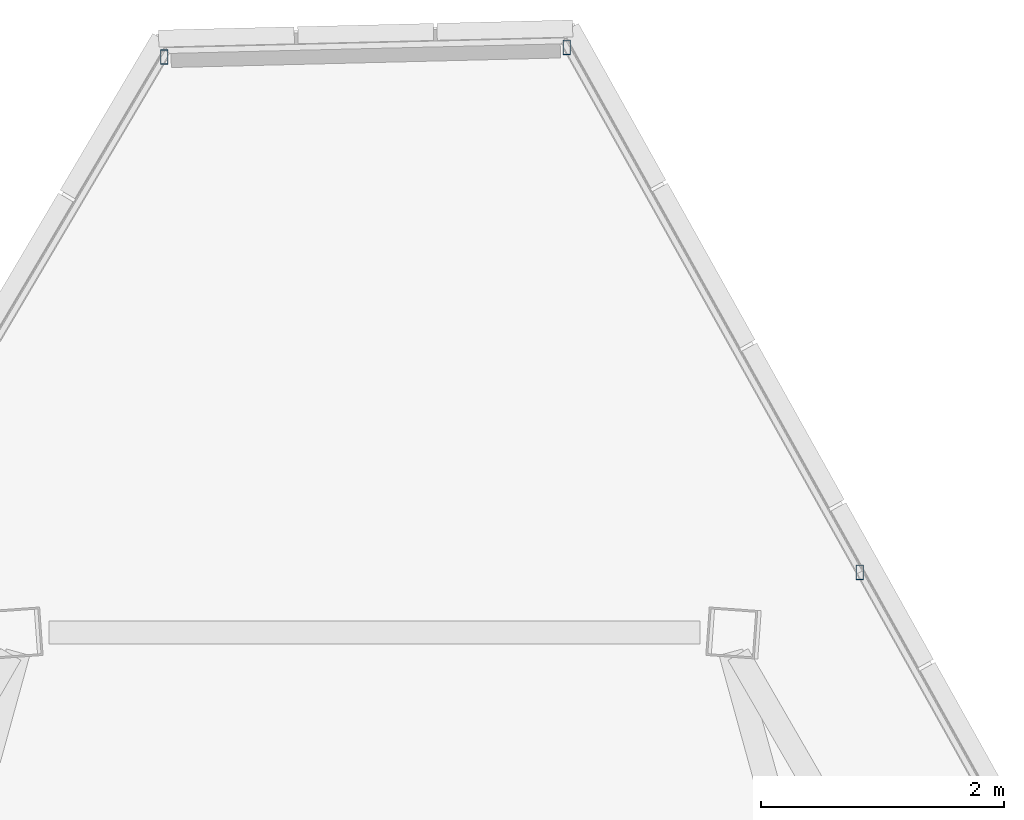
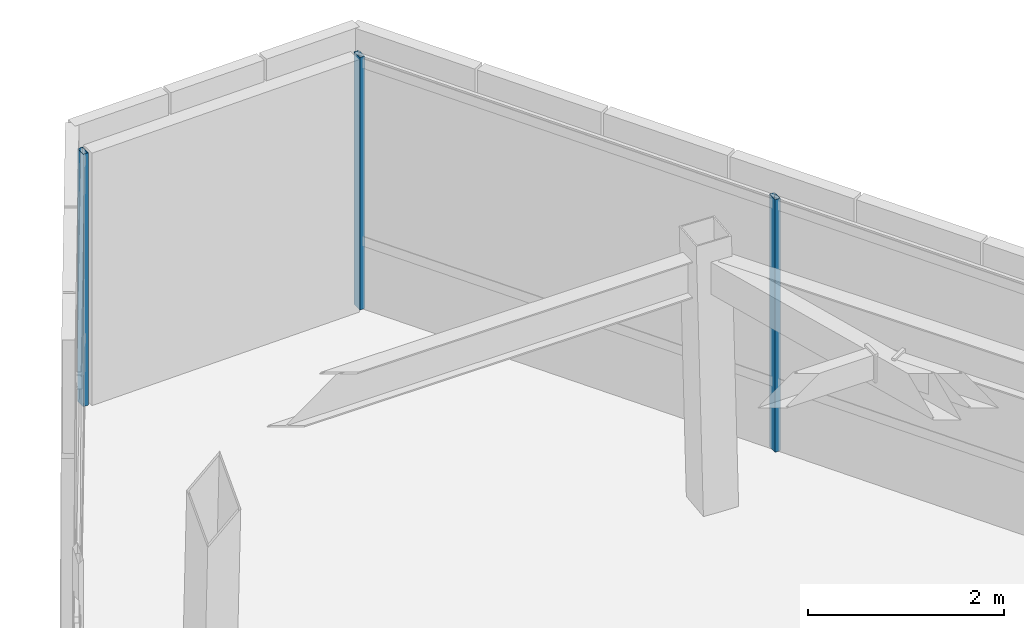
# One storey, part 37 of 47: 3 members, 2 elements without a shape of their own.
"""IFC4 building model written with IfcOpenShell, lengths in metres."""

from ifc_helpers import new_model, si_unit, direction, frame, origin, origin_2d, place, context, subcontext, project, spatial, hollow_rectangle, extrude, source, transform, mapped, material, material_profile, profile_set, type_object, type_shapes, element, aggregate, save


model = new_model("IFC4")

# Units and contexts
model_context = context("Model", 3, precision=1e-05, world=origin(), true_north=direction((0.0, 1.0)))
body_context = subcontext(model_context, "Body", "Model", "MODEL_VIEW")
ifc_project = project(units=[si_unit("LENGTHUNIT", "METRE"), si_unit("AREAUNIT", "SQUARE_METRE"), si_unit("VOLUMEUNIT", "CUBIC_METRE"), si_unit("PLANEANGLEUNIT", "RADIAN"), si_unit("MASSUNIT", "GRAM", prefix="KILO")], contexts=[model_context])

# Site, building, storey
site_placement = place(None, origin())
site = spatial("IfcSite", under=ifc_project, at=site_placement, CompositionType="ELEMENT")
building_placement = place(site_placement, origin())
building = spatial("IfcBuilding", under=site, at=building_placement, Name="Caelisora Broadcast Tower", CompositionType="ELEMENT")
storey_placement = place(building_placement, frame((0.0, 0.0, 293.199951171875)))
storey = spatial("IfcBuildingStorey", under=building, at=storey_placement, Name="L77", CompositionType="ELEMENT", Elevation=293.199951171875)

# Curtain wall, members
ifc_material_1 = material(Name="Unitised Aluminium Insulated Shadow-Box Spandrel Curtain Wall", Category="aluminium")
curtain_wall_type = type_object("IfcCurtainWallType", Name="CW-SP3", PredefinedType="NOTDEFINED", material=ifc_material_1)
curtain_wall_1_placement = place(storey_placement, origin())
curtain_wall_1 = element("IfcCurtainWall", 1, at=curtain_wall_1_placement, inside=storey, type_object=curtain_wall_type, Name="L77 curtain wall CW-SP3", PredefinedType="NOTDEFINED")
ifc_material_2 = material(Name="Aluminium 6063-T6 Anodised Terracotta Bronze", Category="aluminium")
ifc_material_profile = material_profile(ifc_material_2, hollow_rectangle(XDim=0.06005859375, YDim=0.1201171875, WallThickness=0.0029296875, at=origin_2d()), Name="Aluminium 6063-T6 Anodised Terracotta Bronze")
ifc_profile_set = profile_set([ifc_material_profile], Name="Aluminium 6063-T6 Anodised Terracotta Bronze")
member_type = type_object("IfcMemberType", Name="CWM-04", PredefinedType="MULLION", material=ifc_profile_set)
shared_shape = source(origin(), body_context, "Body", "SweptSolid", [
    extrude(hollow_rectangle(XDim=0.06005859375, YDim=0.1201171875, WallThickness=0.0029296875, at=origin_2d()), origin(), (0.0, 0.0, 1.0), 3.150146484375),
])
type_shapes(member_type, [shared_shape])
member_1_placement = place(storey_placement, frame((39.581298828125, 51.556396484375, 0.0), z_axis=(0.0, 0.0, 1.0), x_axis=(1.0, 0.0, 0.0)))
member_1 = element("IfcMember", 2, at=member_1_placement, type_object=member_type, Name="L77-CW-B01 mullion #0", PredefinedType="MULLION", context=body_context, shape_type="MappedRepresentation", body=[
    mapped(shared_shape, transform((0.0, 0.0, 0.0), scale=1.0)),
])
member_2_placement = place(storey_placement, frame((41.99072265625, 47.239990234375, 0.0), z_axis=(0.0, 0.0, 1.0), x_axis=(1.0, 0.0, 0.0)))
member_2 = element("IfcMember", 3, at=member_2_placement, type_object=member_type, Name="L77-CW-B01 mullion #1", PredefinedType="MULLION", context=body_context, shape_type="MappedRepresentation", body=[
    mapped(shared_shape, transform((0.0, 0.0, 0.0), scale=1.0)),
])
aggregate(curtain_wall_1, [member_1, member_2])

# Curtain wall, member
curtain_wall_2_placement = place(storey_placement, origin())
curtain_wall_2 = element("IfcCurtainWall", 4, at=curtain_wall_2_placement, inside=storey, type_object=curtain_wall_type, Name="L77 curtain wall CW-SP3", PredefinedType="NOTDEFINED")
member_3_placement = place(storey_placement, frame((36.271484375, 51.47705078125, 0.0), z_axis=(0.0, 0.0, 1.0), x_axis=(1.0, 0.0, 0.0)))
member_3 = element("IfcMember", 5, at=member_3_placement, type_object=member_type, Name="L77-CW-B11 mullion #3", PredefinedType="MULLION", context=body_context, shape_type="MappedRepresentation", body=[
    mapped(shared_shape, transform((0.0, 0.0, 0.0), scale=1.0)),
])
aggregate(curtain_wall_2, [member_3])

save(model, "model.ifc")
